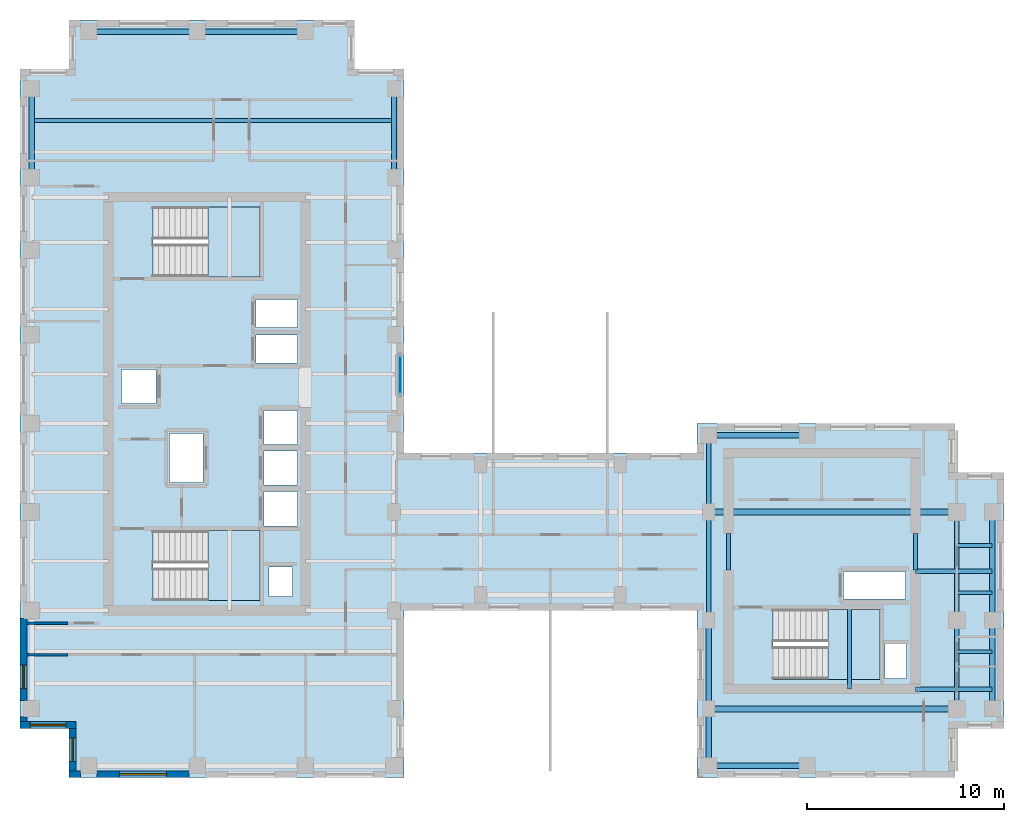
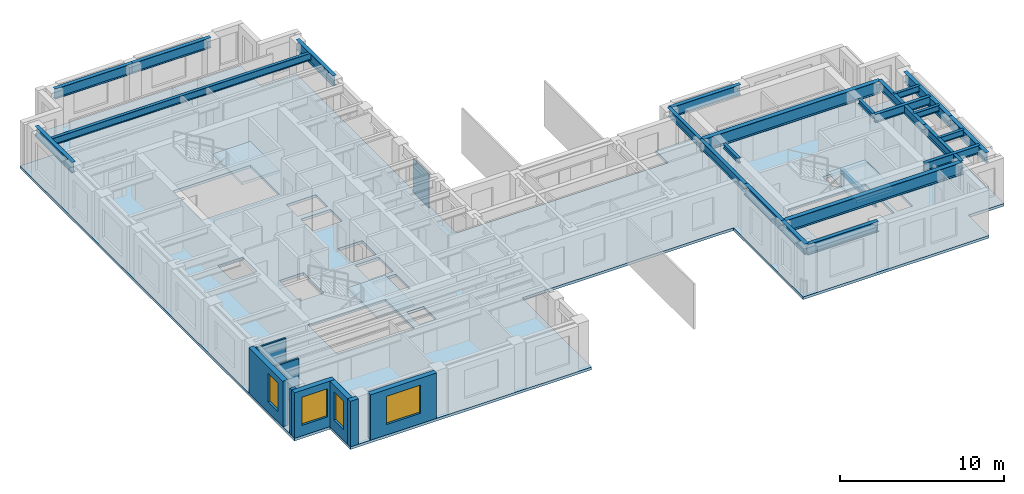
# One storey, part 3 of 11: 25 beams, 8 walls, 4 slabs, 4 windows, 1 plate, 4 openings, 4 elements without a shape of their own.
"""IFC4 building model written with IfcOpenShell, lengths in metres."""

from ifc_helpers import new_model, si_unit, direction, frame, frame_2d, origin, origin_2d, place, context, subcontext, project, spatial, polyline, rectangle, i_section, outline, extrude, source, transform, mapped, material, layer, layer_set, material_profile, profile_set, type_object, element, fill, aggregate, save


model = new_model("IFC4")

# Units and contexts
model_context = context("Model", 3, precision=1e-05, world=origin(), true_north=direction((0.0, 1.0)))
body_context = subcontext(model_context, "Body", "Model", "MODEL_VIEW")
ifc_project = project(units=[si_unit("LENGTHUNIT", "METRE"), si_unit("AREAUNIT", "SQUARE_METRE"), si_unit("VOLUMEUNIT", "CUBIC_METRE"), si_unit("PLANEANGLEUNIT", "RADIAN"), si_unit("MASSUNIT", "GRAM", prefix="KILO")], contexts=[model_context])

# Site, building, storey
site_placement = place(None, origin())
site = spatial("IfcSite", under=ifc_project, at=site_placement, CompositionType="ELEMENT")
building_placement = place(site_placement, origin())
building = spatial("IfcBuilding", under=site, at=building_placement, Name="Kharzan Plaza Tower", CompositionType="ELEMENT")
storey_placement = place(building_placement, frame((0.0, 0.0, 226.800048828125)))
storey = spatial("IfcBuildingStorey", under=building, at=storey_placement, Name="L61", CompositionType="ELEMENT", Elevation=226.800048828125)

# Beams
ifc_material_1 = material(Name="Steel S355", Category="steel")
ifc_material_profile_1 = material_profile(ifc_material_1, i_section(OverallWidth=0.205078125, OverallDepth=0.35400390625, WebThickness=0.009521484375, FlangeThickness=0.016845703125, at=origin_2d()), Name="W360x79")
ifc_profile_set_1 = profile_set([ifc_material_profile_1], Name="Steel S355")
beam_type_1 = type_object("IfcBeamType", Name="BM-LNT360", PredefinedType="LINTEL", material=ifc_profile_set_1)
shared_shape_1 = source(origin(), body_context, "Body", "SweptSolid", [
    extrude(i_section(OverallWidth=0.205078125, OverallDepth=0.35400390625, WebThickness=0.009521484375, FlangeThickness=0.016845703125, at=origin_2d()), origin(), (0.0, 0.0, 1.0), 1.849853515625),
])
for number, where, z_axis, x_axis, name in (
    (1, (45.5, 10.550048828125, 3.222900390625), (0.0, 1.0, 0.0), (-1.0, 0.0, 0.0), "L61 CORE-B coupling lintel LN1-WE"),
    (2, (36.0, 10.550048828125, 3.222900390625), (0.0, 1.0, 0.0), (-1.0, 0.0, 0.0), "L61 CORE-B coupling lintel LN1-WW"),
):
    element("IfcBeam", number, at=place(storey_placement, frame(where, z_axis=z_axis, x_axis=x_axis)), inside=storey, type_object=beam_type_1, Name=name, PredefinedType="LINTEL", context=body_context, shape_type="MappedRepresentation", body=[
        mapped(shared_shape_1, transform((0.0, 0.0, 0.0), x_axis=(1.0, 0.0, 0.0), y_axis=(0.0, 1.0, 0.0), z_axis=(0.0, 0.0, 1.0))),
    ])
shared_shape_2 = source(origin(), body_context, "Body", "SweptSolid", [
    extrude(i_section(OverallWidth=0.205078125, OverallDepth=0.35400390625, WebThickness=0.009521484375, FlangeThickness=0.016845703125, at=origin_2d()), origin(), (0.0, 0.0, 1.0), 4.155029296875),
])
beam_1_placement = place(storey_placement, frame((42.14990234375, 4.5, 1.4228515625), z_axis=(0.0, 1.0, 0.0), x_axis=(-1.0, 0.0, 0.0)))
element("IfcBeam", 3, at=beam_1_placement, inside=storey, type_object=beam_type_1, Name="L61 Stair ST-3 Half-Landing Beam", PredefinedType="LINTEL", context=body_context, shape_type="MappedRepresentation", body=[
    mapped(shared_shape_2, transform((0.0, 0.0, 0.0), x_axis=(1.0, 0.0, 0.0), y_axis=(0.0, 1.0, 0.0), z_axis=(0.0, 0.0, 1.0))),
])
ifc_material_profile_2 = material_profile(ifc_material_1, i_section(OverallWidth=0.304931640625, OverallDepth=0.9189453125, WebThickness=0.017333984375, FlangeThickness=0.02783203125, at=origin_2d()), Name="W920x253")
ifc_profile_set_2 = profile_set([ifc_material_profile_2], Name="Steel S355")
beam_type_2 = type_object("IfcBeamType", Name="BM-FG920B", PredefinedType="BEAM", material=ifc_profile_set_2)
shared_shape_3 = source(origin(), body_context, "Body", "SweptSolid", [
    extrude(i_section(OverallWidth=0.304931640625, OverallDepth=0.9189453125, WebThickness=0.017333984375, FlangeThickness=0.02783203125, at=origin_2d()), origin(), (0.0, 0.0, 1.0), 12.60009765625),
])
for number, where, z_axis, x_axis, name in (
    (4, (35.0, 3.5, 2.9404296875), (1.0, 0.0, 0.0), (0.0, 1.0, 0.0), "L61 Primary Floor Girder"),
    (5, (35.0, 13.5, 2.9404296875), (1.0, 0.0, 0.0), (0.0, 1.0, 0.0), "L61 Primary Floor Girder"),
):
    element("IfcBeam", number, at=place(storey_placement, frame(where, z_axis=z_axis, x_axis=x_axis)), inside=storey, type_object=beam_type_2, Name=name, PredefinedType="BEAM", context=body_context, shape_type="MappedRepresentation", body=[
        mapped(shared_shape_3, transform((0.0, 0.0, 0.0), x_axis=(1.0, 0.0, 0.0), y_axis=(0.0, 1.0, 0.0), z_axis=(0.0, 0.0, 1.0))),
    ])
ifc_material_profile_3 = material_profile(ifc_material_1, i_section(OverallWidth=0.2099609375, OverallDepth=0.537109375, WebThickness=0.010986328125, FlangeThickness=0.017333984375, at=origin_2d()), Name="W530x101")
ifc_profile_set_3 = profile_set([ifc_material_profile_3], Name="Steel S355")
beam_type_3 = type_object("IfcBeamType", Name="BM-JST530B", PredefinedType="JOIST", material=ifc_profile_set_3)
shared_shape_4 = source(origin(), body_context, "Body", "SweptSolid", [
    extrude(i_section(OverallWidth=0.2099609375, OverallDepth=0.537109375, WebThickness=0.010986328125, FlangeThickness=0.017333984375, at=origin_2d()), origin(), (0.0, 0.0, 1.0), 18.39990234375),
])
beam_2_placement = place(storey_placement, frame((0.60009765625, 33.39990234375, 3.13134765625), z_axis=(1.0, 0.0, 0.0), x_axis=(0.0, 1.0, 0.0)))
element("IfcBeam", 6, at=beam_2_placement, inside=storey, type_object=beam_type_3, Name="L61 Wing A Composite Joist 05", PredefinedType="JOIST", context=body_context, shape_type="MappedRepresentation", body=[
    mapped(shared_shape_4, transform((0.0, 0.0, 0.0), x_axis=(1.0, 0.0, 0.0), y_axis=(0.0, 1.0, 0.0), z_axis=(0.0, 0.0, 1.0))),
])
ifc_material_profile_4 = material_profile(ifc_material_1, i_section(OverallWidth=0.22900390625, OverallDepth=0.612060546875, WebThickness=0.011962890625, FlangeThickness=0.01953125, at=origin_2d()), Name="W610x125")
ifc_profile_set_4 = profile_set([ifc_material_profile_4], Name="Steel S355")
beam_type_4 = type_object("IfcBeamType", Name="BM-FG610B", PredefinedType="BEAM", material=ifc_profile_set_4)
shared_shape_5 = source(origin(), body_context, "Body", "SweptSolid", [
    extrude(i_section(OverallWidth=0.22900390625, OverallDepth=0.612060546875, WebThickness=0.011962890625, FlangeThickness=0.01953125, at=origin_2d()), origin(), (0.0, 0.0, 1.0), 4.5),
])
beam_3_placement = place(storey_placement, frame((47.60009765625, 3.5, 3.093994140625), z_axis=(0.0, 1.0, 0.0), x_axis=(-1.0, 0.0, 0.0)))
element("IfcBeam", 7, at=beam_3_placement, inside=storey, type_object=beam_type_4, Name="L61 Interior Frame Girder", PredefinedType="BEAM", context=body_context, shape_type="MappedRepresentation", body=[
    mapped(shared_shape_5, transform((0.0, 0.0, 0.0), x_axis=(1.0, 0.0, 0.0), y_axis=(0.0, 1.0, 0.0), z_axis=(0.0, 0.0, 1.0))),
])
shared_shape_6 = source(origin(), body_context, "Body", "SweptSolid", [
    extrude(i_section(OverallWidth=0.22900390625, OverallDepth=0.612060546875, WebThickness=0.011962890625, FlangeThickness=0.01953125, at=origin_2d()), origin(), (0.0, 0.0, 1.0), 3.89990234375),
])
for number, where, z_axis, x_axis, name in (
    (8, (45.5, 4.5, 3.093994140625), (1.0, 0.0, 0.0), (0.0, 1.0, 0.0), "L61 Core-B East Floor Girder 1"),
    (9, (45.5, 10.5, 3.093994140625), (1.0, 0.0, 0.0), (0.0, 1.0, 0.0), "L61 Core-B East Floor Girder 2"),
    (10, (35.0, 13.5, 3.093994140625), (0.0, 1.0, 0.0), (-1.0, 0.0, 0.0), "L61 Interior Frame Girder"),
):
    element("IfcBeam", number, at=place(storey_placement, frame(where, z_axis=z_axis, x_axis=x_axis)), inside=storey, type_object=beam_type_4, Name=name, PredefinedType="BEAM", context=body_context, shape_type="MappedRepresentation", body=[
        mapped(shared_shape_6, transform((0.0, 0.0, 0.0), x_axis=(1.0, 0.0, 0.0), y_axis=(0.0, 1.0, 0.0), z_axis=(0.0, 0.0, 1.0))),
    ])
shared_shape_7 = source(origin(), body_context, "Body", "SweptSolid", [
    extrude(i_section(OverallWidth=0.22900390625, OverallDepth=0.612060546875, WebThickness=0.011962890625, FlangeThickness=0.01953125, at=origin_2d()), origin(), (0.0, 0.0, 1.0), 5.5),
])
for number, where, z_axis, x_axis, name in (
    (11, (35.0, 8.0, 3.093994140625), (0.0, 1.0, 0.0), (-1.0, 0.0, 0.0), "L61 Interior Frame Girder"),
    (12, (47.60009765625, 8.0, 3.093994140625), (0.0, 1.0, 0.0), (-1.0, 0.0, 0.0), "L61 Interior Frame Girder"),
):
    element("IfcBeam", number, at=place(storey_placement, frame(where, z_axis=z_axis, x_axis=x_axis)), inside=storey, type_object=beam_type_4, Name=name, PredefinedType="BEAM", context=body_context, shape_type="MappedRepresentation", body=[
        mapped(shared_shape_7, transform((0.0, 0.0, 0.0), x_axis=(1.0, 0.0, 0.0), y_axis=(0.0, 1.0, 0.0), z_axis=(0.0, 0.0, 1.0))),
    ])
ifc_material_profile_5 = material_profile(ifc_material_1, i_section(OverallWidth=0.194091796875, OverallDepth=0.468994140625, WebThickness=0.011474609375, FlangeThickness=0.0205078125, at=origin_2d()), Name="W460x106")
ifc_profile_set_5 = profile_set([ifc_material_profile_5], Name="Steel S355")
beam_type_5 = type_object("IfcBeamType", Name="BM-JST460", PredefinedType="JOIST", material=ifc_profile_set_5)
shared_shape_8 = source(origin(), body_context, "Body", "SweptSolid", [
    extrude(i_section(OverallWidth=0.194091796875, OverallDepth=0.468994140625, WebThickness=0.011474609375, FlangeThickness=0.0205078125, at=origin_2d()), origin(), (0.0, 0.0, 1.0), 1.7998046875),
])
for number, where, z_axis, x_axis, name in (
    (13, (47.60009765625, 6.39990234375, 3.16552734375), (1.0, 0.0, 0.0), (0.0, 1.0, 0.0), "L61 Wing B Composite Joist 02"),
    (14, (47.60009765625, 9.39990234375, 3.16552734375), (1.0, 0.0, 0.0), (0.0, 1.0, 0.0), "L61 Wing B Composite Joist 03"),
    (15, (47.60009765625, 11.800048828125, 3.16552734375), (1.0, 0.0, 0.0), (0.0, 1.0, 0.0), "L61 Wing B Composite Joist 04"),
):
    element("IfcBeam", number, at=place(storey_placement, frame(where, z_axis=z_axis, x_axis=x_axis)), inside=storey, type_object=beam_type_5, Name=name, PredefinedType="JOIST", context=body_context, shape_type="MappedRepresentation", body=[
        mapped(shared_shape_8, transform((0.0, 0.0, 0.0), x_axis=(1.0, 0.0, 0.0), y_axis=(0.0, 1.0, 0.0), z_axis=(0.0, 0.0, 1.0))),
    ])
ifc_material_profile_6 = material_profile(ifc_material_1, i_section(OverallWidth=0.26708984375, OverallDepth=0.76611328125, WebThickness=0.014892578125, FlangeThickness=0.023681640625, at=origin_2d()), Name="W760x185")
ifc_profile_set_6 = profile_set([ifc_material_profile_6], Name="Steel S355")
beam_type_6 = type_object("IfcBeamType", Name="BM-SP760B", PredefinedType="SPANDREL", material=ifc_profile_set_6)
shared_shape_9 = source(origin(), body_context, "Body", "SweptSolid", [
    extrude(i_section(OverallWidth=0.26708984375, OverallDepth=0.76611328125, WebThickness=0.014892578125, FlangeThickness=0.023681640625, at=origin_2d()), origin(), (0.0, 0.0, 1.0), 5.0),
])
for number, where, z_axis, x_axis, name in (
    (16, (35.0, 0.60009765625, 3.016845703125), (1.0, 0.0, 0.0), (0.0, 1.0, 0.0), "L61 Perimeter Tube Spandrel"),
    (17, (35.0, 17.39990234375, 3.016845703125), (1.0, 0.0, 0.0), (0.0, 1.0, 0.0), "L61 Perimeter Tube Spandrel"),
):
    element("IfcBeam", number, at=place(storey_placement, frame(where, z_axis=z_axis, x_axis=x_axis)), inside=storey, type_object=beam_type_6, Name=name, PredefinedType="SPANDREL", context=body_context, shape_type="MappedRepresentation", body=[
        mapped(shared_shape_9, transform((0.0, 0.0, 0.0), x_axis=(1.0, 0.0, 0.0), y_axis=(0.0, 1.0, 0.0), z_axis=(0.0, 0.0, 1.0))),
    ])
shared_shape_10 = source(origin(), body_context, "Body", "SweptSolid", [
    extrude(i_section(OverallWidth=0.26708984375, OverallDepth=0.76611328125, WebThickness=0.014892578125, FlangeThickness=0.023681640625, at=origin_2d()), origin(), (0.0, 0.0, 1.0), 4.5),
])
for number, where, z_axis, x_axis, name in (
    (18, (0.60009765625, 30.5, 3.016845703125), (0.0, 1.0, 0.0), (-1.0, 0.0, 0.0), "L61 Perimeter Tube Spandrel"),
    (19, (19.0, 30.5, 3.016845703125), (0.0, 1.0, 0.0), (-1.0, 0.0, 0.0), "L61 Perimeter Tube Spandrel"),
    (20, (35.0, 3.5, 3.016845703125), (0.0, 1.0, 0.0), (-1.0, 0.0, 0.0), "L61 Perimeter Tube Spandrel"),
    (21, (49.39990234375, 3.5, 3.016845703125), (0.0, 1.0, 0.0), (-1.0, 0.0, 0.0), "L61 Perimeter Tube Spandrel"),
):
    element("IfcBeam", number, at=place(storey_placement, frame(where, z_axis=z_axis, x_axis=x_axis)), inside=storey, type_object=beam_type_6, Name=name, PredefinedType="SPANDREL", context=body_context, shape_type="MappedRepresentation", body=[
        mapped(shared_shape_10, transform((0.0, 0.0, 0.0), x_axis=(1.0, 0.0, 0.0), y_axis=(0.0, 1.0, 0.0), z_axis=(0.0, 0.0, 1.0))),
    ])
shared_shape_11 = source(origin(), body_context, "Body", "SweptSolid", [
    extrude(i_section(OverallWidth=0.26708984375, OverallDepth=0.76611328125, WebThickness=0.014892578125, FlangeThickness=0.023681640625, at=origin_2d()), origin(), (0.0, 0.0, 1.0), 2.89990234375),
])
beam_4_placement = place(storey_placement, frame((35.0, 0.60009765625, 3.016845703125), z_axis=(0.0, 1.0, 0.0), x_axis=(-1.0, 0.0, 0.0)))
element("IfcBeam", 22, at=beam_4_placement, inside=storey, type_object=beam_type_6, Name="L61 Perimeter Tube Spandrel", PredefinedType="SPANDREL", context=body_context, shape_type="MappedRepresentation", body=[
    mapped(shared_shape_11, transform((0.0, 0.0, 0.0), x_axis=(1.0, 0.0, 0.0), y_axis=(0.0, 1.0, 0.0), z_axis=(0.0, 0.0, 1.0))),
])
shared_shape_12 = source(origin(), body_context, "Body", "SweptSolid", [
    extrude(i_section(OverallWidth=0.26708984375, OverallDepth=0.76611328125, WebThickness=0.014892578125, FlangeThickness=0.023681640625, at=origin_2d()), origin(), (0.0, 0.0, 1.0), 5.5),
])
for number, where, z_axis, x_axis, name in (
    (23, (49.39990234375, 8.0, 3.016845703125), (0.0, 1.0, 0.0), (-1.0, 0.0, 0.0), "L61 Perimeter Tube Spandrel"),
    (24, (3.5, 37.89990234375, 3.016845703125), (1.0, 0.0, 0.0), (0.0, 1.0, 0.0), "L61 Perimeter Tube Spandrel"),
    (25, (9.0, 37.89990234375, 3.016845703125), (1.0, 0.0, 0.0), (0.0, 1.0, 0.0), "L61 Perimeter Tube Spandrel"),
):
    element("IfcBeam", number, at=place(storey_placement, frame(where, z_axis=z_axis, x_axis=x_axis)), inside=storey, type_object=beam_type_6, Name=name, PredefinedType="SPANDREL", context=body_context, shape_type="MappedRepresentation", body=[
        mapped(shared_shape_12, transform((0.0, 0.0, 0.0), x_axis=(1.0, 0.0, 0.0), y_axis=(0.0, 1.0, 0.0), z_axis=(0.0, 0.0, 1.0))),
    ])

# Slab
ifc_material_2 = material(Name="Concrete C40/50", Category="concrete")
ifc_layer_1 = layer(ifc_material_2, 0.199951171875)
ifc_layer_set_1 = layer_set([ifc_layer_1], Name="Concrete C40/50")
slab_type_1 = type_object("IfcSlabType", Name="SL-FLOOR-200", PredefinedType="FLOOR", material=ifc_layer_set_1)
slab_1_placement = place(storey_placement, frame((0.0, 0.0, -0.199951171875)))
element("IfcSlab", 26, at=slab_1_placement, inside=storey, type_object=slab_type_1, Name="L61 Composite Structural Floor Slab 200 mm", PredefinedType="FLOOR", context=body_context, shape_type="SweptSolid", body=[
    extrude(outline(polyline([(34.39990234375, 16.5), (19.5, 16.5), (19.5, 36.0), (17.0, 36.0), (17.0, 38.5), (2.5, 38.5), (2.5, 36.0), (0.0, 36.0), (0.0, 2.5), (2.5, 2.5), (2.5, 0.0), (19.5, 0.0), (19.5, 8.5), (34.39990234375, 8.5), (34.39990234375, 0.0), (47.5, 0.0), (47.5, 2.5), (50.0, 2.5), (50.0, 15.5), (47.5, 15.5), (47.5, 18.0), (34.39990234375, 18.0), (34.39990234375, 16.5)]), holes=[polyline([(12.199951171875, 12.550048828125), (6.75, 12.550048828125), (6.75, 9.0), (12.199951171875, 9.0), (12.199951171875, 12.550048828125)]), polyline([(14.10009765625, 12.800048828125), (14.10009765625, 14.530029296875), (12.39990234375, 14.530029296875), (12.39990234375, 12.800048828125), (14.10009765625, 12.800048828125)]), polyline([(9.300048828125, 15.0), (9.300048828125, 17.5), (7.60009765625, 17.5), (7.60009765625, 15.0), (9.300048828125, 15.0)]), polyline([(6.89990234375, 20.72998046875), (5.14990234375, 20.72998046875), (5.14990234375, 19.010009765625), (6.89990234375, 19.010009765625), (6.89990234375, 20.72998046875)]), polyline([(14.10009765625, 21.070068359375), (14.10009765625, 22.489990234375), (12.0, 22.489990234375), (12.0, 21.070068359375), (14.10009765625, 21.070068359375)]), polyline([(14.10009765625, 22.8701171875), (14.10009765625, 24.2900390625), (12.0, 24.2900390625), (12.0, 22.8701171875), (14.10009765625, 22.8701171875)]), polyline([(12.199951171875, 29.0), (6.75, 29.0), (6.75, 25.449951171875), (12.199951171875, 25.449951171875), (12.199951171875, 29.0)]), polyline([(45.050048828125, 5.050048828125), (45.050048828125, 6.800048828125), (43.949951171875, 6.800048828125), (43.949951171875, 5.050048828125), (45.050048828125, 5.050048828125)]), polyline([(43.699951171875, 5.0), (43.699951171875, 8.550048828125), (38.25, 8.550048828125), (38.25, 5.0), (43.699951171875, 5.0)]), polyline([(45.0, 9.070068359375), (45.0, 10.469970703125), (41.85009765625, 10.469970703125), (41.85009765625, 9.070068359375), (45.0, 9.070068359375)]), polyline([(13.85009765625, 9.199951171875), (13.85009765625, 10.699951171875), (12.64990234375, 10.699951171875), (12.64990234375, 9.199951171875), (13.85009765625, 9.199951171875)]), polyline([(14.10009765625, 14.8701171875), (14.10009765625, 16.60009765625), (12.39990234375, 16.60009765625), (12.39990234375, 14.8701171875), (14.10009765625, 14.8701171875)]), polyline([(14.10009765625, 16.93994140625), (14.10009765625, 18.64990234375), (12.39990234375, 18.64990234375), (12.39990234375, 16.93994140625), (14.10009765625, 16.93994140625)])]), origin(), (0.0, 0.0, 1.0), 0.199951171875),
])

# Stair, slab
stair_type_1 = type_object("IfcStairType", Name="STR-ST-1", PredefinedType="HALF_TURN_STAIR", material=ifc_material_2)
stair_1_placement = place(storey_placement, origin())
stair_1 = element("IfcStair", 27, at=stair_1_placement, inside=storey, type_object=stair_type_1, Name="L61 Protected Exit Stair ST-1", PredefinedType="HALF_TURN_STAIR")
ifc_layer_2 = layer(ifc_material_2, 0.219970703125)
ifc_layer_set_2 = layer_set([ifc_layer_2], Name="Concrete C40/50")
slab_type_2 = type_object("IfcSlabType", Name="SL-LANDING-220", PredefinedType="LANDING", material=ifc_layer_set_2)
slab_2_placement = place(storey_placement, frame((0.0, 0.0, 1.599853515625)))
slab_2 = element("IfcSlab", 28, at=slab_2_placement, type_object=slab_type_2, Name="ST-1 landing 1", PredefinedType="LANDING", context=body_context, shape_type="SweptSolid", body=[
    extrude(outline(polyline([(9.550048828125, 9.0), (12.199951171875, 9.0), (12.199951171875, 12.550048828125), (9.550048828125, 12.550048828125), (9.550048828125, 9.0)])), origin(), (0.0, 0.0, 1.0), 0.2001953125),
])
aggregate(stair_1, [slab_2])

stair_type_2 = type_object("IfcStairType", Name="STR-ST-2", PredefinedType="HALF_TURN_STAIR", material=ifc_material_2)
stair_2_placement = place(storey_placement, origin())
stair_2 = element("IfcStair", 29, at=stair_2_placement, inside=storey, type_object=stair_type_2, Name="L61 Protected Exit Stair ST-2", PredefinedType="HALF_TURN_STAIR")
slab_3_placement = place(storey_placement, frame((0.0, 0.0, 1.599853515625)))
slab_3 = element("IfcSlab", 30, at=slab_3_placement, type_object=slab_type_2, Name="ST-2 landing 1", PredefinedType="LANDING", context=body_context, shape_type="SweptSolid", body=[
    extrude(outline(polyline([(9.550048828125, 25.449951171875), (12.199951171875, 25.449951171875), (12.199951171875, 29.0), (9.550048828125, 29.0), (9.550048828125, 25.449951171875)])), origin(), (0.0, 0.0, 1.0), 0.2001953125),
])
aggregate(stair_2, [slab_3])

stair_type_3 = type_object("IfcStairType", Name="STR-ST-3", PredefinedType="HALF_TURN_STAIR", material=ifc_material_2)
stair_3_placement = place(storey_placement, origin())
stair_3 = element("IfcStair", 31, at=stair_3_placement, inside=storey, type_object=stair_type_3, Name="L61 Protected Exit Stair ST-3", PredefinedType="HALF_TURN_STAIR")
slab_4_placement = place(storey_placement, frame((0.0, 0.0, 1.599853515625)))
slab_4 = element("IfcSlab", 32, at=slab_4_placement, type_object=slab_type_2, Name="ST-3 landing 1", PredefinedType="LANDING", context=body_context, shape_type="SweptSolid", body=[
    extrude(outline(polyline([(41.050048828125, 5.0), (43.699951171875, 5.0), (43.699951171875, 8.550048828125), (41.050048828125, 8.550048828125), (41.050048828125, 5.0)])), origin(), (0.0, 0.0, 1.0), 0.2001953125),
])
aggregate(stair_3, [slab_4])

# Curtain wall, plate
ifc_material_3 = material(Name="Unitised Bronze-Anodized Aluminium and Low-E Glass", Category="aluminium")
ifc_layer_3 = layer(ifc_material_3, 0.199951171875)
ifc_layer_set_3 = layer_set([ifc_layer_3], Name="Unitised Bronze-Anodized Aluminium and Low-E Glass")
curtain_wall_type = type_object("IfcCurtainWallType", Name="CW-SLOT-3", PredefinedType="NOTDEFINED", material=ifc_layer_set_3)
curtain_wall_placement = place(storey_placement, origin())
curtain_wall = element("IfcCurtainWall", 33, at=curtain_wall_placement, inside=storey, type_object=curtain_wall_type, Name="L61 West Slot Recessed Spine Curtain Wall", PredefinedType="NOTDEFINED")
ifc_material_4 = material(Name="Dark Solar-Control Double Glazing", Category="glass")
ifc_layer_4 = layer(ifc_material_4, 0.031982421875)
ifc_layer_set_4 = layer_set([ifc_layer_4], Name="Dark Solar-Control Double Glazing")
plate_type = type_object("IfcPlateType", Name="PLT-CW-GLASS", PredefinedType="CURTAIN_PANEL", material=ifc_layer_set_4)
shared_shape_13 = source(origin(), body_context, "Body", "SweptSolid", [
    extrude(rectangle(XDim=1.929931640625, YDim=0.031982421875, at=origin_2d()), origin(), (0.0, 0.0, 1.0), 2.5400390625),
])
plate_placement = place(storey_placement, frame((19.320068359375, 20.47509765625, 0.079833984375), z_axis=(0.0, 0.0, 1.0), x_axis=(0.0, 1.0, 0.0)))
plate = element("IfcPlate", 34, at=plate_placement, type_object=plate_type, Name="L61 Curtain-Wall Glazed Panel 00", PredefinedType="CURTAIN_PANEL", context=body_context, shape_type="MappedRepresentation", body=[
    mapped(shared_shape_13, transform((0.0, 0.0, 0.0), x_axis=(1.0, 0.0, 0.0), y_axis=(0.0, 1.0, 0.0), z_axis=(0.0, 0.0, 1.0))),
])
aggregate(curtain_wall, [plate])

# Wall, opening, window
ifc_layer_5 = layer(ifc_material_2, 0.35009765625)
ifc_layer_set_5 = layer_set([ifc_layer_5], Name="Concrete C40/50")
wall_type_1 = type_object("IfcWallType", Name="WL-EXT-MAS-Z4", PredefinedType="SOLIDWALL", material=ifc_layer_set_5)
wall_1_placement = place(storey_placement, frame((0.175048828125, 8.076904296875, 0.0), z_axis=(0.0, 0.0, 1.0), x_axis=(0.0, -1.0, 0.0)))
wall_1 = element("IfcWall", 35, at=wall_1_placement, inside=storey, type_object=wall_type_1, Name="L61 Masonry-Frame Exterior Wall 23", PredefinedType="SOLIDWALL", context=body_context, shape_type="SweptSolid", body=[
    extrude(rectangle(XDim=4.15380859375, YDim=0.35009765625, at=frame_2d((2.076904296875, 0.0))), origin(), (0.0, 0.0, 1.0), 3.385009765625),
])
opening_1_placement = place(wall_1_placement, frame((2.35546875, 0.0, 0.780029296875)))
opening_1 = element("IfcOpeningElement", 36, at=opening_1_placement, cuts=wall_1, Name="Opening W3", PredefinedType="OPENING", context=body_context, shape_type="SweptSolid", body=[
    extrude(rectangle(XDim=1.199951171875, YDim=2.10009765625, at=frame_2d((0.60009765625, 1.050048828125))), frame((0.0, 0.18505859375, 0.0), z_axis=(0.0, -1.0, 0.0), x_axis=(1.0, 0.0, 0.0)), (0.0, 0.0, 1.0), 0.3701171875),
])
ifc_material_5 = material(Name="Low-E Double Glazing", Category="glass")
window_type_1 = type_object("IfcWindowType", Name="WN-REC-1200x2100", PartitioningType="SINGLE_PANEL", PredefinedType="WINDOW", material=ifc_material_5)
shared_shape_14 = source(origin(), body_context, "Body", "SweptSolid", [
    extrude(rectangle(XDim=1.199951171875, YDim=2.10009765625, at=frame_2d((0.60009765625, 1.050048828125))), frame((0.0, 0.030029296875, 0.0), z_axis=(0.0, -1.0, 0.0), x_axis=(1.0, 0.0, 0.0)), (0.0, 0.0, 1.0), 0.06005859375),
])
window_1_placement = place(opening_1_placement, origin())
window_1 = element("IfcWindow", 37, at=window_1_placement, inside=storey, type_object=window_type_1, Name="L61 Recessed Solar-Control Window 23-1", OverallHeight=2.10009765625, OverallWidth=1.199951171875, PartitioningType="SINGLE_PANEL", PredefinedType="WINDOW", context=body_context, shape_type="MappedRepresentation", body=[
    mapped(shared_shape_14, transform((0.0, 0.0, 0.0), x_axis=(1.0, 0.0, 0.0), y_axis=(0.0, 1.0, 0.0), z_axis=(0.0, 0.0, 1.0))),
])
fill(opening_1, window_1)

wall_2_placement = place(storey_placement, frame((0.0, 2.675048828125, 0.0), z_axis=(0.0, 0.0, 1.0), x_axis=(1.0, 0.0, 0.0)))
wall_2 = element("IfcWall", 38, at=wall_2_placement, inside=storey, type_object=wall_type_1, Name="L61 Masonry-Frame Exterior Wall 25", PredefinedType="SOLIDWALL", context=body_context, shape_type="SweptSolid", body=[
    extrude(rectangle(XDim=2.85009765625, YDim=0.35009765625, at=frame_2d((1.425048828125, 0.0))), origin(), (0.0, 0.0, 1.0), 3.385009765625),
])
opening_2_placement = place(wall_2_placement, frame((0.52490234375, 0.0, 0.780029296875)))
opening_2 = element("IfcOpeningElement", 39, at=opening_2_placement, cuts=wall_2, Name="Opening W1", PredefinedType="OPENING", context=body_context, shape_type="SweptSolid", body=[
    extrude(rectangle(XDim=1.800048828125, YDim=2.10009765625, at=frame_2d((0.89990234375, 1.050048828125))), frame((0.0, 0.18505859375, 0.0), z_axis=(0.0, -1.0, 0.0), x_axis=(1.0, 0.0, 0.0)), (0.0, 0.0, 1.0), 0.3701171875),
])
window_type_2 = type_object("IfcWindowType", Name="WN-REC-1800x2100", PartitioningType="SINGLE_PANEL", PredefinedType="WINDOW", material=ifc_material_5)
shared_shape_15 = source(origin(), body_context, "Body", "SweptSolid", [
    extrude(rectangle(XDim=1.800048828125, YDim=2.10009765625, at=frame_2d((0.89990234375, 1.050048828125))), frame((0.0, 0.030029296875, 0.0), z_axis=(0.0, -1.0, 0.0), x_axis=(1.0, 0.0, 0.0)), (0.0, 0.0, 1.0), 0.06005859375),
])
window_2_placement = place(opening_2_placement, origin())
window_2 = element("IfcWindow", 40, at=window_2_placement, inside=storey, type_object=window_type_2, Name="L61 Recessed Solar-Control Window 25-1", OverallHeight=2.10009765625, OverallWidth=1.800048828125, PartitioningType="SINGLE_PANEL", PredefinedType="WINDOW", context=body_context, shape_type="MappedRepresentation", body=[
    mapped(shared_shape_15, transform((0.0, 0.0, 0.0), x_axis=(1.0, 0.0, 0.0), y_axis=(0.0, 1.0, 0.0), z_axis=(0.0, 0.0, 1.0))),
])
fill(opening_2, window_2)

wall_3_placement = place(storey_placement, frame((2.675048828125, 2.501953125, 0.0), z_axis=(0.0, 0.0, 1.0), x_axis=(0.0, -1.0, 0.0)))
wall_3 = element("IfcWall", 41, at=wall_3_placement, inside=storey, type_object=wall_type_1, Name="L61 Masonry-Frame Exterior Wall 26", PredefinedType="SOLIDWALL", context=body_context, shape_type="SweptSolid", body=[
    extrude(rectangle(XDim=2.154052734375, YDim=0.35009765625, at=frame_2d((1.0771484375, 0.0))), origin(), (0.0, 0.0, 1.0), 3.385009765625),
])
opening_3_placement = place(wall_3_placement, frame((0.47705078125, 0.0, 0.780029296875)))
opening_3 = element("IfcOpeningElement", 42, at=opening_3_placement, cuts=wall_3, Name="Opening W3", PredefinedType="OPENING", context=body_context, shape_type="SweptSolid", body=[
    extrude(rectangle(XDim=1.199951171875, YDim=2.10009765625, at=frame_2d((0.60009765625, 1.050048828125))), frame((0.0, 0.18505859375, 0.0), z_axis=(0.0, -1.0, 0.0), x_axis=(1.0, 0.0, 0.0)), (0.0, 0.0, 1.0), 0.3701171875),
])
window_3_placement = place(opening_3_placement, origin())
window_3 = element("IfcWindow", 43, at=window_3_placement, inside=storey, type_object=window_type_1, Name="L61 Recessed Solar-Control Window 26-1", OverallHeight=2.10009765625, OverallWidth=1.199951171875, PartitioningType="SINGLE_PANEL", PredefinedType="WINDOW", context=body_context, shape_type="MappedRepresentation", body=[
    mapped(shared_shape_14, transform((0.0, 0.0, 0.0), x_axis=(1.0, 0.0, 0.0), y_axis=(0.0, 1.0, 0.0), z_axis=(0.0, 0.0, 1.0))),
])
fill(opening_3, window_3)

wall_4_placement = place(storey_placement, frame((3.923095703125, 0.175048828125, 0.0), z_axis=(0.0, 0.0, 1.0), x_axis=(1.0, 0.0, 0.0)))
wall_4 = element("IfcWall", 44, at=wall_4_placement, inside=storey, type_object=wall_type_1, Name="L61 Masonry-Frame Exterior Wall 28", PredefinedType="SOLIDWALL", context=body_context, shape_type="SweptSolid", body=[
    extrude(rectangle(XDim=4.65380859375, YDim=0.35009765625, at=frame_2d((2.326904296875, 0.0))), origin(), (0.0, 0.0, 1.0), 3.385009765625),
])
opening_4_placement = place(wall_4_placement, frame((1.126953125, 0.0, 0.780029296875)))
opening_4 = element("IfcOpeningElement", 45, at=opening_4_placement, cuts=wall_4, Name="Opening W2", PredefinedType="OPENING", context=body_context, shape_type="SweptSolid", body=[
    extrude(rectangle(XDim=2.39990234375, YDim=2.10009765625, at=frame_2d((1.199951171875, 1.050048828125))), frame((0.0, 0.18505859375, 0.0), z_axis=(0.0, -1.0, 0.0), x_axis=(1.0, 0.0, 0.0)), (0.0, 0.0, 1.0), 0.3701171875),
])
window_type_3 = type_object("IfcWindowType", Name="WN-REC-2400x2100", PartitioningType="SINGLE_PANEL", PredefinedType="WINDOW", material=ifc_material_5)
shared_shape_16 = source(origin(), body_context, "Body", "SweptSolid", [
    extrude(rectangle(XDim=2.39990234375, YDim=2.10009765625, at=frame_2d((1.199951171875, 1.050048828125))), frame((0.0, 0.030029296875, 0.0), z_axis=(0.0, -1.0, 0.0), x_axis=(1.0, 0.0, 0.0)), (0.0, 0.0, 1.0), 0.06005859375),
])
window_4_placement = place(opening_4_placement, origin())
window_4 = element("IfcWindow", 46, at=window_4_placement, inside=storey, type_object=window_type_3, Name="L61 Wide Recessed Solar-Control Window 28-1", OverallHeight=2.10009765625, OverallWidth=2.39990234375, PartitioningType="SINGLE_PANEL", PredefinedType="WINDOW", context=body_context, shape_type="MappedRepresentation", body=[
    mapped(shared_shape_16, transform((0.0, 0.0, 0.0), x_axis=(1.0, 0.0, 0.0), y_axis=(0.0, 1.0, 0.0), z_axis=(0.0, 0.0, 1.0))),
])
fill(opening_4, window_4)

# Walls
ifc_material_6 = material(Name="Fire-Rated Gypsum Board Partition", Category="gypsum")
ifc_layer_6 = layer(ifc_material_6, 0.125)
ifc_layer_set_6 = layer_set([ifc_layer_6], Name="Fire-Rated Gypsum Board Partition")
wall_type_2 = type_object("IfcWallType", Name="WL-INT-PART-125", PredefinedType="PARTITIONING", material=ifc_layer_set_6)
shared_shape_17 = source(origin(), body_context, "Body", "SweptSolid", [
    extrude(rectangle(XDim=2.097900390625, YDim=0.125, at=frame_2d((1.048828125, 0.0))), origin(), (0.0, 0.0, 1.0), 3.385009765625),
])
wall_5_placement = place(storey_placement, frame((0.35205078125, 7.85009765625, 0.0), z_axis=(0.0, 0.0, 1.0), x_axis=(1.0, 0.0, 0.0)))
element("IfcWall", 47, at=wall_5_placement, inside=storey, type_object=wall_type_2, Name="L61 Interior Partition SH-RWS0", PredefinedType="PARTITIONING", context=body_context, shape_type="MappedRepresentation", body=[
    mapped(shared_shape_17, transform((0.0, 0.0, 0.0), x_axis=(1.0, 0.0, 0.0), y_axis=(0.0, 1.0, 0.0), z_axis=(0.0, 0.0, 1.0))),
])
shared_shape_18 = source(origin(), body_context, "Body", "SweptSolid", [
    extrude(rectangle(XDim=2.097900390625, YDim=0.125, at=frame_2d((1.048828125, 0.0))), origin(), (0.0, 0.0, 1.0), 2.847900390625),
])
wall_6_placement = place(storey_placement, frame((0.35205078125, 6.25, 0.0), z_axis=(0.0, 0.0, 1.0), x_axis=(1.0, 0.0, 0.0)))
element("IfcWall", 48, at=wall_6_placement, inside=storey, type_object=wall_type_2, Name="L61 Interior Partition SH-SS-EXT", PredefinedType="PARTITIONING", context=body_context, shape_type="MappedRepresentation", body=[
    mapped(shared_shape_18, transform((0.0, 0.0, 0.0), x_axis=(1.0, 0.0, 0.0), y_axis=(0.0, 1.0, 0.0), z_axis=(0.0, 0.0, 1.0))),
])
shared_shape_19 = source(origin(), body_context, "Body", "SweptSolid", [
    extrude(rectangle(XDim=0.576904296875, YDim=0.35009765625, at=frame_2d((0.28857421875, 0.0))), origin(), (0.0, 0.0, 1.0), 3.385009765625),
])
wall_7_placement = place(storey_placement, frame((2.5, 0.175048828125, 0.0), z_axis=(0.0, 0.0, 1.0), x_axis=(1.0, 0.0, 0.0)))
element("IfcWall", 49, at=wall_7_placement, inside=storey, type_object=wall_type_1, Name="L61 Masonry-Frame Exterior Wall 27", PredefinedType="SOLIDWALL", context=body_context, shape_type="MappedRepresentation", body=[
    mapped(shared_shape_19, transform((0.0, 0.0, 0.0), x_axis=(1.0, 0.0, 0.0), y_axis=(0.0, 1.0, 0.0), z_axis=(0.0, 0.0, 1.0))),
])
shared_shape_20 = source(origin(), body_context, "Body", "SweptSolid", [
    extrude(rectangle(XDim=0.22900390625, YDim=0.35009765625, at=frame_2d((0.114501953125, 0.0))), origin(), (0.0, 0.0, 1.0), 3.385009765625),
])
wall_8_placement = place(storey_placement, frame((0.175048828125, 3.076904296875, 0.0), z_axis=(0.0, 0.0, 1.0), x_axis=(0.0, -1.0, 0.0)))
element("IfcWall", 50, at=wall_8_placement, inside=storey, type_object=wall_type_1, Name="L61 Masonry-Frame Exterior Wall 24", PredefinedType="SOLIDWALL", context=body_context, shape_type="MappedRepresentation", body=[
    mapped(shared_shape_20, transform((0.0, 0.0, 0.0), x_axis=(1.0, 0.0, 0.0), y_axis=(0.0, 1.0, 0.0), z_axis=(0.0, 0.0, 1.0))),
])

save(model, "model.ifc")
